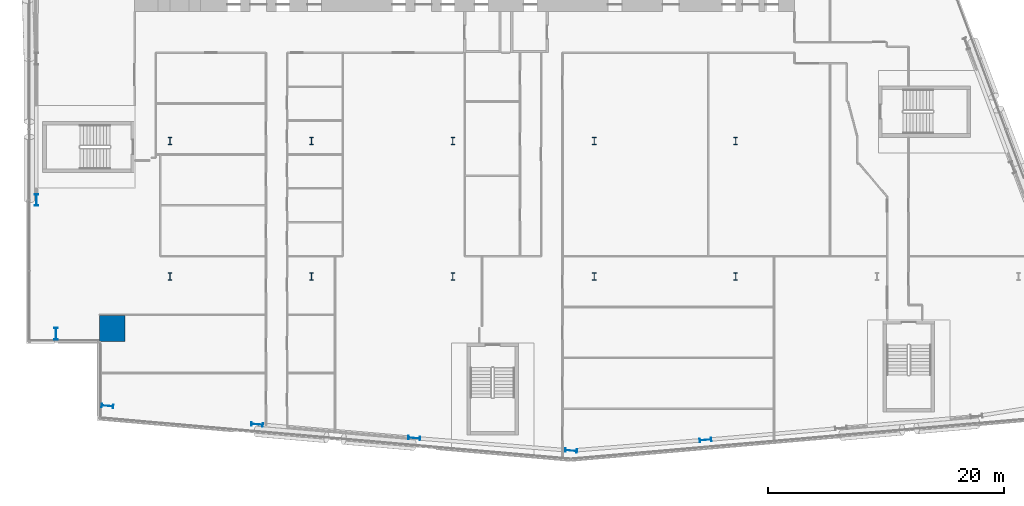
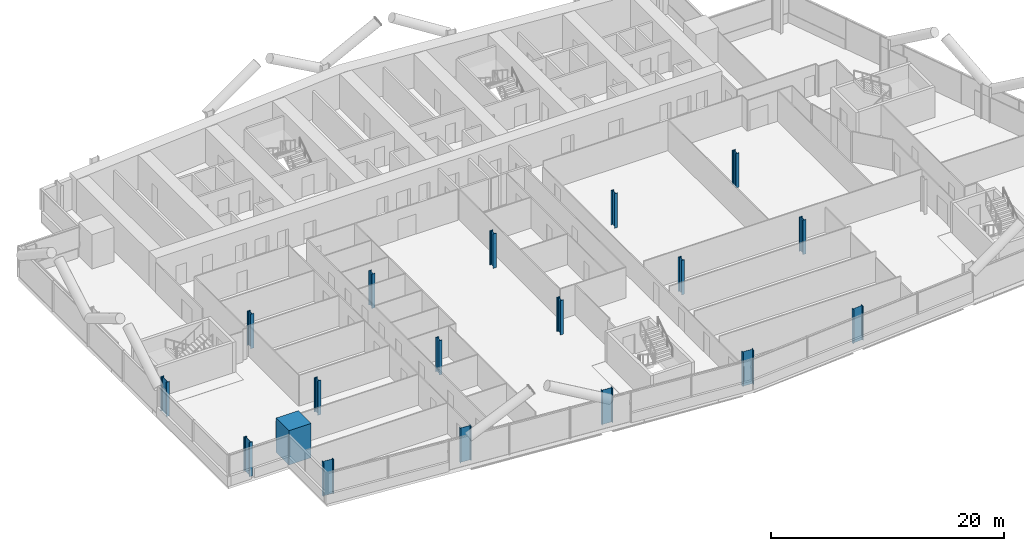
# One storey, part 1 of 27: 18 columns.
"""IFC4 building model written with IfcOpenShell, lengths in metres."""

from ifc_helpers import new_model, si_unit, direction, frame, origin, origin_2d, place, context, subcontext, project, spatial, rectangle, i_section, extrude, material, material_profile, profile_set, type_object, element, save


model = new_model("IFC4")

# Units and contexts
model_context = context("Model", 3, precision=1e-05, world=origin(), true_north=direction((0.0, 1.0)))
body_context = subcontext(model_context, "Body", "Model", "MODEL_VIEW")
ifc_project = project(units=[si_unit("LENGTHUNIT", "METRE"), si_unit("AREAUNIT", "SQUARE_METRE"), si_unit("VOLUMEUNIT", "CUBIC_METRE"), si_unit("PLANEANGLEUNIT", "RADIAN"), si_unit("MASSUNIT", "GRAM", prefix="KILO")], contexts=[model_context])

# Site, building, storey
site_placement = place(None, origin())
site = spatial("IfcSite", under=ifc_project, at=site_placement, CompositionType="ELEMENT")
building_placement = place(site_placement, origin())
building = spatial("IfcBuilding", under=site, at=building_placement, Name="Wharfspan Tower", CompositionType="ELEMENT")
storey_placement = place(building_placement, frame((0.0, 0.0, 81.100098)))
storey = spatial("IfcBuildingStorey", under=building, at=storey_placement, Name="L17", CompositionType="ELEMENT", Elevation=81.100098)

# Columns
ifc_material_1 = material(Name="Steel S355J2", Category="steel")
ifc_material_profile_1 = material_profile(ifc_material_1, i_section(OverallWidth=0.302002, OverallDepth=1.008057, WebThickness=0.020996, FlangeThickness=0.040039, FilletRadius=0.030029, at=origin_2d()))
ifc_profile_set_1 = profile_set([ifc_material_profile_1], Name="Steel S355J2")
column_type_1 = type_object("IfcColumnType", Name="Column HEM 1000", PredefinedType="COLUMN", material=ifc_profile_set_1)
for number, where, z_axis, x_axis, name in (
    (1, (6.694336, 0.528564, 0.0), (0.0, 0.0, 1.0), (-0.087156, -0.996198, 0.0), "Perimeter column PS1.1 L17"),
    (2, (19.390869, -1.033936, 0.0), (0.0, 0.0, 1.0), (-0.087156, -0.996198, 0.0), "Perimeter column PS1.2 L17"),
    (3, (32.724121, -2.200439, 0.0), (0.0, 0.0, 1.0), (-0.087156, -0.996198, 0.0), "Perimeter column PS1.3 L17"),
    (4, (46.04248, -3.268066, 0.0), (0.0, 0.0, 1.0), (-0.087156, -0.996198, 0.0), "Perimeter column PS1.4 L17"),
    (5, (57.442383, -2.36084, 0.0), (0.0, 0.0, 1.0), (0.087156, -0.996198, 0.0), "Perimeter column PS2.1 L17"),
    (6, (0.659912, 18.0, 0.0), (0.0, 0.0, 1.0), (-1.0, 0.0, 0.0), "Perimeter column PW.2 L17"),
    (7, (2.331787, 6.66748, 0.0), (0.0, 0.0, 1.0), (-1.0, 0.0, 0.0), "Perimeter column PW.3 L17"),
):
    element("IfcColumn", number, at=place(storey_placement, frame(where, z_axis=z_axis, x_axis=x_axis)), inside=storey, type_object=column_type_1, Name=name, PredefinedType="COLUMN", context=body_context, shape_type="SweptSolid", body=[
        extrude(i_section(OverallWidth=0.302002, OverallDepth=1.008057, WebThickness=0.020996, FlangeThickness=0.040039, FilletRadius=0.030029, at=origin_2d()), origin(), (0.0, 0.0, 1.0), 3.599854),
    ])
ifc_material_profile_2 = material_profile(ifc_material_1, i_section(OverallWidth=0.304932, OverallDepth=0.620117, WebThickness=0.020996, FlangeThickness=0.040039, FilletRadius=0.0271, at=origin_2d()))
ifc_profile_set_2 = profile_set([ifc_material_profile_2], Name="Steel S355J2")
column_type_2 = type_object("IfcColumnType", Name="Column HEM 600", PredefinedType="COLUMN", material=ifc_profile_set_2)
for number, where, z_axis, x_axis, name in (
    (8, (12.0, 11.5, 0.0), (0.0, 0.0, 1.0), (1.0, 0.0, 0.0), "Interior column I.1.1 L17"),
    (9, (24.0, 11.5, 0.0), (0.0, 0.0, 1.0), (1.0, 0.0, 0.0), "Interior column I.1.2 L17"),
    (10, (36.0, 11.5, 0.0), (0.0, 0.0, 1.0), (1.0, 0.0, 0.0), "Interior column I.1.3 L17"),
    (11, (48.0, 11.5, 0.0), (0.0, 0.0, 1.0), (1.0, 0.0, 0.0), "Interior column I.1.4 L17"),
    (12, (60.0, 11.5, 0.0), (0.0, 0.0, 1.0), (1.0, 0.0, 0.0), "Interior column I.1.5 L17"),
    (13, (12.0, 23.0, 0.0), (0.0, 0.0, 1.0), (1.0, 0.0, 0.0), "Interior column I.2.1 L17"),
    (14, (24.0, 23.0, 0.0), (0.0, 0.0, 1.0), (1.0, 0.0, 0.0), "Interior column I.2.2 L17"),
    (15, (36.0, 23.0, 0.0), (0.0, 0.0, 1.0), (1.0, 0.0, 0.0), "Interior column I.2.3 L17"),
    (16, (48.0, 23.0, 0.0), (0.0, 0.0, 1.0), (1.0, 0.0, 0.0), "Interior column I.2.4 L17"),
    (17, (60.0, 23.0, 0.0), (0.0, 0.0, 1.0), (1.0, 0.0, 0.0), "Interior column I.2.5 L17"),
):
    element("IfcColumn", number, at=place(storey_placement, frame(where, z_axis=z_axis, x_axis=x_axis)), inside=storey, type_object=column_type_2, Name=name, PredefinedType="COLUMN", context=body_context, shape_type="SweptSolid", body=[
        extrude(i_section(OverallWidth=0.304932, OverallDepth=0.620117, WebThickness=0.020996, FlangeThickness=0.040039, FilletRadius=0.0271, at=origin_2d()), origin(), (0.0, 0.0, 1.0), 3.599854),
    ])
ifc_material_2 = material(Name="Concrete C70/85", Category="concrete")
ifc_material_profile_3 = material_profile(ifc_material_2, rectangle(XDim=2.199951, YDim=2.199951, at=origin_2d()))
ifc_profile_set_3 = profile_set([ifc_material_profile_3], Name="Concrete C70/85")
column_type_3 = type_object("IfcColumnType", Name="Mega column 2200 C70/85", PredefinedType="COLUMN", material=ifc_profile_set_3)
column_placement = place(storey_placement, frame((7.100098, 7.100098, 0.0), z_axis=(0.0, 0.0, 1.0), x_axis=(1.0, 0.0, 0.0)))
element("IfcColumn", 18, at=column_placement, inside=storey, type_object=column_type_3, Name="Mega column MC1 L17", PredefinedType="COLUMN", context=body_context, shape_type="SweptSolid", body=[
    extrude(rectangle(XDim=2.199951, YDim=2.199951, at=origin_2d()), origin(), (0.0, 0.0, 1.0), 3.599854),
])

save(model, "model.ifc")
